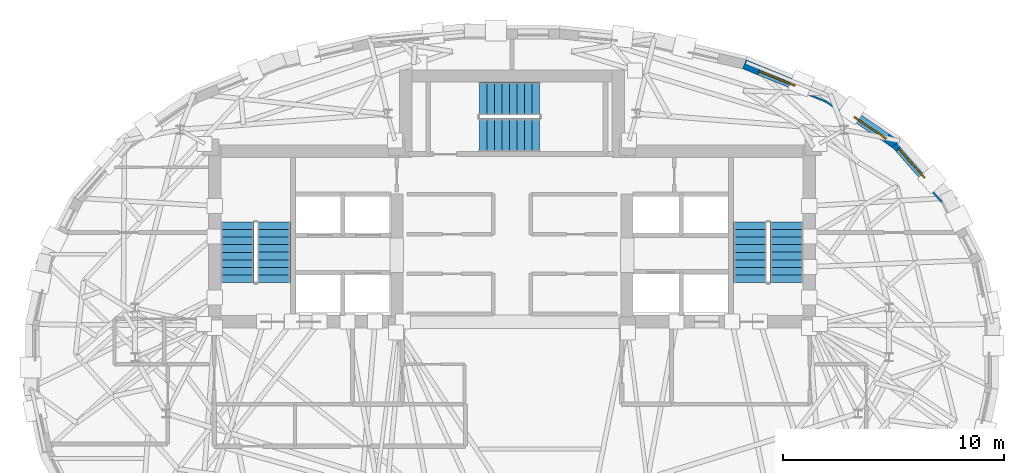
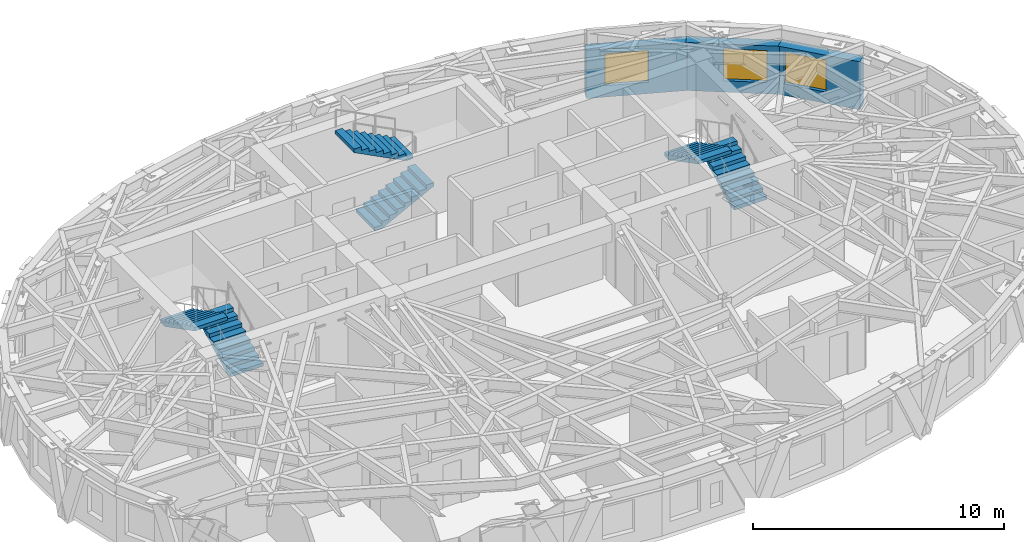
# One storey, part 10 of 13: 6 stair flights, 3 walls, 3 windows, 3 openings, 3 elements without a shape of their own.
"""IFC4 building model written with IfcOpenShell, lengths in metres."""

from ifc_helpers import new_model, si_unit, direction, frame, frame_2d, origin, place, context, subcontext, project, spatial, polyline, rectangle, outline, extrude, material, layer, layer_set, type_object, element, fill, aggregate, save


model = new_model("IFC4")

# Units and contexts
model_context = context("Model", 3, precision=1e-05, world=origin(), true_north=direction((0.0, 1.0)))
body_context = subcontext(model_context, "Body", "Model", "MODEL_VIEW")
ifc_project = project(units=[si_unit("LENGTHUNIT", "METRE"), si_unit("AREAUNIT", "SQUARE_METRE"), si_unit("VOLUMEUNIT", "CUBIC_METRE"), si_unit("PLANEANGLEUNIT", "RADIAN"), si_unit("MASSUNIT", "GRAM", prefix="KILO")], contexts=[model_context])

# Site, building, storey
site_placement = place(None, origin())
site = spatial("IfcSite", under=ifc_project, at=site_placement, CompositionType="ELEMENT")
building_placement = place(site_placement, origin())
building = spatial("IfcBuilding", under=site, at=building_placement, Name="Keldmark Tower", CompositionType="ELEMENT")
storey_placement = place(building_placement, frame((0.0, 0.0, 235.199951171875)))
storey = spatial("IfcBuildingStorey", under=building, at=storey_placement, Name="L66", CompositionType="ELEMENT", Elevation=235.199951171875)

# Wall, opening, window
ifc_material_1 = material(Name="Ironspot Manganese Brick and Kasota Buff Limestone Spandrel Assembly", Category="masonry")
ifc_layer = layer(ifc_material_1, 0.43994140625)
ifc_layer_set = layer_set([ifc_layer], Name="Ironspot Manganese Brick and Kasota Buff Limestone Spandrel Assembly")
wall_type = type_object("IfcWallType", Name="Tower Brick Pier and Spandrel Wall 440 mm", PredefinedType="STANDARD", material=ifc_layer_set)
wall_1_placement = place(storey_placement, frame((17.33984375, 9.595947265625, 0.0), z_axis=(0.0, 0.0, 1.0), x_axis=(0.66136043846, -0.750068243855, 0.0)))
wall_1 = element("IfcWall", 1, at=wall_1_placement, inside=storey, type_object=wall_type, Name="L66 Exterior Brick and Spandrel Wall 03", PredefinedType="STANDARD", context=body_context, shape_type="SweptSolid", body=[
    extrude(rectangle(XDim=3.431884765625, YDim=0.43994140625, at=frame_2d((1.7158203125, 0.0))), origin(), (0.0, 0.0, 1.0), 2.3359375),
])
opening_1_placement = place(wall_1_placement, frame((0.249267578125, 0.0, 0.550048828125)))
opening_1 = element("IfcOpeningElement", 2, at=opening_1_placement, cuts=wall_1, Name="Opening W-05", PredefinedType="OPENING", context=body_context, shape_type="SweptSolid", body=[
    extrude(rectangle(XDim=1.75, YDim=1.550048828125, at=frame_2d((0.875, 0.77490234375))), frame((0.0, 0.22998046875, 0.0), z_axis=(0.0, -1.0, 0.0), x_axis=(1.0, 0.0, 0.0)), (0.0, 0.0, 1.0), 0.4599609375),
])
ifc_material_2 = material(Name="Thermally Broken Anodized Aluminum and Triple Low-E Argon Glazing", Category="aluminium")
window_type = type_object("IfcWindowType", Name="Residential Deep-Set Window 1750x1550", PartitioningType="DOUBLE_PANEL_VERTICAL", PredefinedType="WINDOW", material=ifc_material_2)
window_1_placement = place(opening_1_placement, origin())
window_1 = element("IfcWindow", 3, at=window_1_placement, inside=storey, type_object=window_type, Name="L66 Deep-Set Window 03", OverallHeight=1.550048828125, OverallWidth=1.75, PartitioningType="SINGLE_PANEL", PredefinedType="WINDOW", context=body_context, shape_type="SweptSolid", body=[
    extrude(rectangle(XDim=1.75, YDim=1.550048828125, at=frame_2d((0.875, 0.77490234375))), frame((0.0, -0.010009765625, 0.0), z_axis=(0.0, -1.0, 0.0), x_axis=(1.0, 0.0, 0.0)), (0.0, 0.0, 1.0), 0.06005859375),
])
fill(opening_1, window_1)

wall_2_placement = place(storey_placement, frame((14.242431640625, 11.68798828125, 0.0), z_axis=(0.0, 0.0, 1.0), x_axis=(0.827637036896, -0.561263694851, 0.0)))
wall_2 = element("IfcWall", 4, at=wall_2_placement, inside=storey, type_object=wall_type, Name="L66 Exterior Brick and Spandrel Wall 04", PredefinedType="STANDARD", context=body_context, shape_type="SweptSolid", body=[
    extrude(rectangle(XDim=3.792724609375, YDim=0.43994140625, at=frame_2d((1.896484375, 0.0))), origin(), (0.0, 0.0, 1.0), 2.3359375),
])
opening_2_placement = place(wall_2_placement, frame((1.494140625, 0.0, 0.550048828125)))
opening_2 = element("IfcOpeningElement", 5, at=opening_2_placement, cuts=wall_2, Name="Opening W-05", PredefinedType="OPENING", context=body_context, shape_type="SweptSolid", body=[
    extrude(rectangle(XDim=1.75, YDim=1.550048828125, at=frame_2d((0.875, 0.77490234375))), frame((0.0, 0.22998046875, 0.0), z_axis=(0.0, -1.0, 0.0), x_axis=(1.0, 0.0, 0.0)), (0.0, 0.0, 1.0), 0.4599609375),
])
window_2_placement = place(opening_2_placement, origin())
window_2 = element("IfcWindow", 6, at=window_2_placement, inside=storey, type_object=window_type, Name="L66 Deep-Set Window 04", OverallHeight=1.550048828125, OverallWidth=1.75, PartitioningType="SINGLE_PANEL", PredefinedType="WINDOW", context=body_context, shape_type="SweptSolid", body=[
    extrude(rectangle(XDim=1.75, YDim=1.550048828125, at=frame_2d((0.875, 0.77490234375))), frame((0.0, -0.010009765625, 0.0), z_axis=(0.0, -1.0, 0.0), x_axis=(1.0, 0.0, 0.0)), (0.0, 0.0, 1.0), 0.06005859375),
])
fill(opening_2, window_2)

wall_3_placement = place(storey_placement, frame((10.487060546875, 13.205078125, 0.0), z_axis=(0.0, 0.0, 1.0), x_axis=(0.926731976866, -0.375723093586, 0.0)))
wall_3 = element("IfcWall", 7, at=wall_3_placement, inside=storey, type_object=wall_type, Name="L66 Exterior Brick and Spandrel Wall 05", PredefinedType="STANDARD", context=body_context, shape_type="SweptSolid", body=[
    extrude(rectangle(XDim=4.09619140625, YDim=0.43994140625, at=frame_2d((2.048095703125, 0.0))), origin(), (0.0, 0.0, 1.0), 2.3359375),
])
opening_3_placement = place(wall_3_placement, frame((0.748779296875, 0.0, 0.550048828125)))
opening_3 = element("IfcOpeningElement", 8, at=opening_3_placement, cuts=wall_3, Name="Opening W-05", PredefinedType="OPENING", context=body_context, shape_type="SweptSolid", body=[
    extrude(rectangle(XDim=1.75, YDim=1.550048828125, at=frame_2d((0.875, 0.77490234375))), frame((0.0, 0.22998046875, 0.0), z_axis=(0.0, -1.0, 0.0), x_axis=(1.0, 0.0, 0.0)), (0.0, 0.0, 1.0), 0.4599609375),
])
window_3_placement = place(opening_3_placement, origin())
window_3 = element("IfcWindow", 9, at=window_3_placement, inside=storey, type_object=window_type, Name="L66 Deep-Set Window 05", OverallHeight=1.550048828125, OverallWidth=1.75, PartitioningType="SINGLE_PANEL", PredefinedType="WINDOW", context=body_context, shape_type="SweptSolid", body=[
    extrude(rectangle(XDim=1.75, YDim=1.550048828125, at=frame_2d((0.875, 0.77490234375))), frame((0.0, -0.010009765625, 0.0), z_axis=(0.0, -1.0, 0.0), x_axis=(1.0, 0.0, 0.0)), (0.0, 0.0, 1.0), 0.06005859375),
])
fill(opening_3, window_3)

# Stair, stair flights
ifc_material_3 = material(Name="Concrete C40/50", Category="concrete")
stair_type = type_object("IfcStairType", Name="Precast Concrete Core Exit Stair", PredefinedType="HALF_TURN_STAIR", material=ifc_material_3)
stair_1_placement = place(storey_placement, origin())
stair_1 = element("IfcStair", 10, at=stair_1_placement, inside=storey, type_object=stair_type, Name="L66 Exit Stair ST1", PredefinedType="HALF_TURN_STAIR")
ifc_material_4 = material(Name="Concrete C40/50", Category="concrete")
stair_flight_type = type_object("IfcStairFlightType", Name="Precast Concrete Stair Flight 1500 mm", PredefinedType="STRAIGHT", material=ifc_material_4)
stair_flight_1_placement = place(storey_placement, frame((-10.75, 3.35009765625, 0.0), z_axis=(0.0, 0.0, 1.0), x_axis=(0.0, 1.0, 0.0)))
stair_flight_1 = element("IfcStairFlight", 11, at=stair_flight_1_placement, type_object=stair_flight_type, Name="ST1 flight 1", NumberOfRisers=9, NumberOfTreads=8, PredefinedType="STRAIGHT", RiserHeight=0.175, TreadLength=0.34, context=body_context, shape_type="SweptSolid", body=[
    extrude(outline(polyline([(0.0, 0.0), (0.0, 0.175048828125), (0.340087890625, 0.175048828125), (0.340087890625, 0.35009765625), (0.679931640625, 0.35009765625), (0.679931640625, 0.52490234375), (1.02001953125, 0.52490234375), (1.02001953125, 0.699951171875), (1.360107421875, 0.699951171875), (1.360107421875, 0.875), (1.699951171875, 0.875), (1.699951171875, 1.050048828125), (2.0400390625, 1.050048828125), (2.0400390625, 1.22509765625), (2.3798828125, 1.22509765625), (2.3798828125, 1.39990234375), (2.719970703125, 1.39990234375), (2.719970703125, 1.574951171875), (2.719970703125, 1.2314453125), (0.32763671875, 0.0), (0.0, 0.0)])), frame((0.0, 0.75, 0.0), z_axis=(0.0, -1.0, 0.0), x_axis=(1.0, 0.0, 0.0)), (0.0, 0.0, 1.0), 1.5),
])
stair_flight_2_placement = place(storey_placement, frame((-12.39990234375, 6.070068359375, 1.574951171875), z_axis=(0.0, 0.0, 1.0), x_axis=(0.0, -1.0, 0.0)))
stair_flight_2 = element("IfcStairFlight", 12, at=stair_flight_2_placement, type_object=stair_flight_type, Name="ST1 flight 2", NumberOfRisers=9, NumberOfTreads=8, PredefinedType="STRAIGHT", RiserHeight=0.175, TreadLength=0.34, context=body_context, shape_type="SweptSolid", body=[
    extrude(outline(polyline([(0.0, 0.0), (0.0, 0.175048828125), (0.340087890625, 0.175048828125), (0.340087890625, 0.35009765625), (0.679931640625, 0.35009765625), (0.679931640625, 0.52490234375), (1.02001953125, 0.52490234375), (1.02001953125, 0.699951171875), (1.360107421875, 0.699951171875), (1.360107421875, 0.875), (1.699951171875, 0.875), (1.699951171875, 1.050048828125), (2.0400390625, 1.050048828125), (2.0400390625, 1.22509765625), (2.3798828125, 1.22509765625), (2.3798828125, 1.39990234375), (2.719970703125, 1.39990234375), (2.719970703125, 1.574951171875), (2.719970703125, 1.2314453125), (0.32763671875, 0.0), (0.0, 0.0)])), frame((0.0, 0.75, 0.0), z_axis=(0.0, -1.0, 0.0), x_axis=(1.0, 0.0, 0.0)), (0.0, 0.0, 1.0), 1.5),
])
aggregate(stair_1, [stair_flight_1, stair_flight_2])

stair_2_placement = place(storey_placement, origin())
stair_2 = element("IfcStair", 13, at=stair_2_placement, inside=storey, type_object=stair_type, Name="L66 Exit Stair ST2", PredefinedType="HALF_TURN_STAIR")
stair_flight_3_placement = place(storey_placement, frame((12.39990234375, 3.35009765625, 0.0), z_axis=(0.0, 0.0, 1.0), x_axis=(0.0, 1.0, 0.0)))
stair_flight_3 = element("IfcStairFlight", 14, at=stair_flight_3_placement, type_object=stair_flight_type, Name="ST2 flight 1", NumberOfRisers=9, NumberOfTreads=8, PredefinedType="STRAIGHT", RiserHeight=0.175, TreadLength=0.34, context=body_context, shape_type="SweptSolid", body=[
    extrude(outline(polyline([(0.0, 0.0), (0.0, 0.175048828125), (0.340087890625, 0.175048828125), (0.340087890625, 0.35009765625), (0.679931640625, 0.35009765625), (0.679931640625, 0.52490234375), (1.02001953125, 0.52490234375), (1.02001953125, 0.699951171875), (1.360107421875, 0.699951171875), (1.360107421875, 0.875), (1.699951171875, 0.875), (1.699951171875, 1.050048828125), (2.0400390625, 1.050048828125), (2.0400390625, 1.22509765625), (2.3798828125, 1.22509765625), (2.3798828125, 1.39990234375), (2.719970703125, 1.39990234375), (2.719970703125, 1.574951171875), (2.719970703125, 1.2314453125), (0.32763671875, 0.0), (0.0, 0.0)])), frame((0.0, 0.75, 0.0), z_axis=(0.0, -1.0, 0.0), x_axis=(1.0, 0.0, 0.0)), (0.0, 0.0, 1.0), 1.5),
])
stair_flight_4_placement = place(storey_placement, frame((10.75, 6.070068359375, 1.574951171875), z_axis=(0.0, 0.0, 1.0), x_axis=(0.0, -1.0, 0.0)))
stair_flight_4 = element("IfcStairFlight", 15, at=stair_flight_4_placement, type_object=stair_flight_type, Name="ST2 flight 2", NumberOfRisers=9, NumberOfTreads=8, PredefinedType="STRAIGHT", RiserHeight=0.175, TreadLength=0.34, context=body_context, shape_type="SweptSolid", body=[
    extrude(outline(polyline([(0.0, 0.0), (0.0, 0.175048828125), (0.340087890625, 0.175048828125), (0.340087890625, 0.35009765625), (0.679931640625, 0.35009765625), (0.679931640625, 0.52490234375), (1.02001953125, 0.52490234375), (1.02001953125, 0.699951171875), (1.360107421875, 0.699951171875), (1.360107421875, 0.875), (1.699951171875, 0.875), (1.699951171875, 1.050048828125), (2.0400390625, 1.050048828125), (2.0400390625, 1.22509765625), (2.3798828125, 1.22509765625), (2.3798828125, 1.39990234375), (2.719970703125, 1.39990234375), (2.719970703125, 1.574951171875), (2.719970703125, 1.2314453125), (0.32763671875, 0.0), (0.0, 0.0)])), frame((0.0, 0.75, 0.0), z_axis=(0.0, -1.0, 0.0), x_axis=(1.0, 0.0, 0.0)), (0.0, 0.0, 1.0), 1.5),
])
aggregate(stair_2, [stair_flight_3, stair_flight_4])

stair_3_placement = place(storey_placement, origin())
stair_3 = element("IfcStair", 16, at=stair_3_placement, inside=storey, type_object=stair_type, Name="L66 Exit Stair ST3", PredefinedType="HALF_TURN_STAIR")
stair_flight_5_placement = place(storey_placement, frame((-1.47509765625, 10.0, 0.0), z_axis=(0.0, 0.0, 1.0), x_axis=(1.0, 0.0, 0.0)))
stair_flight_5 = element("IfcStairFlight", 17, at=stair_flight_5_placement, type_object=stair_flight_type, Name="ST3 flight 1", NumberOfRisers=9, NumberOfTreads=8, PredefinedType="STRAIGHT", RiserHeight=0.175, TreadLength=0.34, context=body_context, shape_type="SweptSolid", body=[
    extrude(outline(polyline([(0.0, 0.0), (0.0, 0.175048828125), (0.340087890625, 0.175048828125), (0.340087890625, 0.35009765625), (0.679931640625, 0.35009765625), (0.679931640625, 0.52490234375), (1.02001953125, 0.52490234375), (1.02001953125, 0.699951171875), (1.360107421875, 0.699951171875), (1.360107421875, 0.875), (1.699951171875, 0.875), (1.699951171875, 1.050048828125), (2.0400390625, 1.050048828125), (2.0400390625, 1.22509765625), (2.3798828125, 1.22509765625), (2.3798828125, 1.39990234375), (2.719970703125, 1.39990234375), (2.719970703125, 1.574951171875), (2.719970703125, 1.2314453125), (0.32763671875, 0.0), (0.0, 0.0)])), frame((0.0, 0.75, 0.0), z_axis=(0.0, -1.0, 0.0), x_axis=(1.0, 0.0, 0.0)), (0.0, 0.0, 1.0), 1.5),
])
stair_flight_6_placement = place(storey_placement, frame((1.2451171875, 11.64990234375, 1.574951171875), z_axis=(0.0, 0.0, 1.0), x_axis=(-1.0, 0.0, 0.0)))
stair_flight_6 = element("IfcStairFlight", 18, at=stair_flight_6_placement, type_object=stair_flight_type, Name="ST3 flight 2", NumberOfRisers=9, NumberOfTreads=8, PredefinedType="STRAIGHT", RiserHeight=0.175, TreadLength=0.34, context=body_context, shape_type="SweptSolid", body=[
    extrude(outline(polyline([(0.0, 0.0), (0.0, 0.175048828125), (0.340087890625, 0.175048828125), (0.340087890625, 0.35009765625), (0.679931640625, 0.35009765625), (0.679931640625, 0.52490234375), (1.02001953125, 0.52490234375), (1.02001953125, 0.699951171875), (1.360107421875, 0.699951171875), (1.360107421875, 0.875), (1.699951171875, 0.875), (1.699951171875, 1.050048828125), (2.0400390625, 1.050048828125), (2.0400390625, 1.22509765625), (2.3798828125, 1.22509765625), (2.3798828125, 1.39990234375), (2.719970703125, 1.39990234375), (2.719970703125, 1.574951171875), (2.719970703125, 1.2314453125), (0.32763671875, 0.0), (0.0, 0.0)])), frame((0.0, 0.75, 0.0), z_axis=(0.0, -1.0, 0.0), x_axis=(1.0, 0.0, 0.0)), (0.0, 0.0, 1.0), 1.5),
])
aggregate(stair_3, [stair_flight_5, stair_flight_6])

save(model, "model.ifc")
